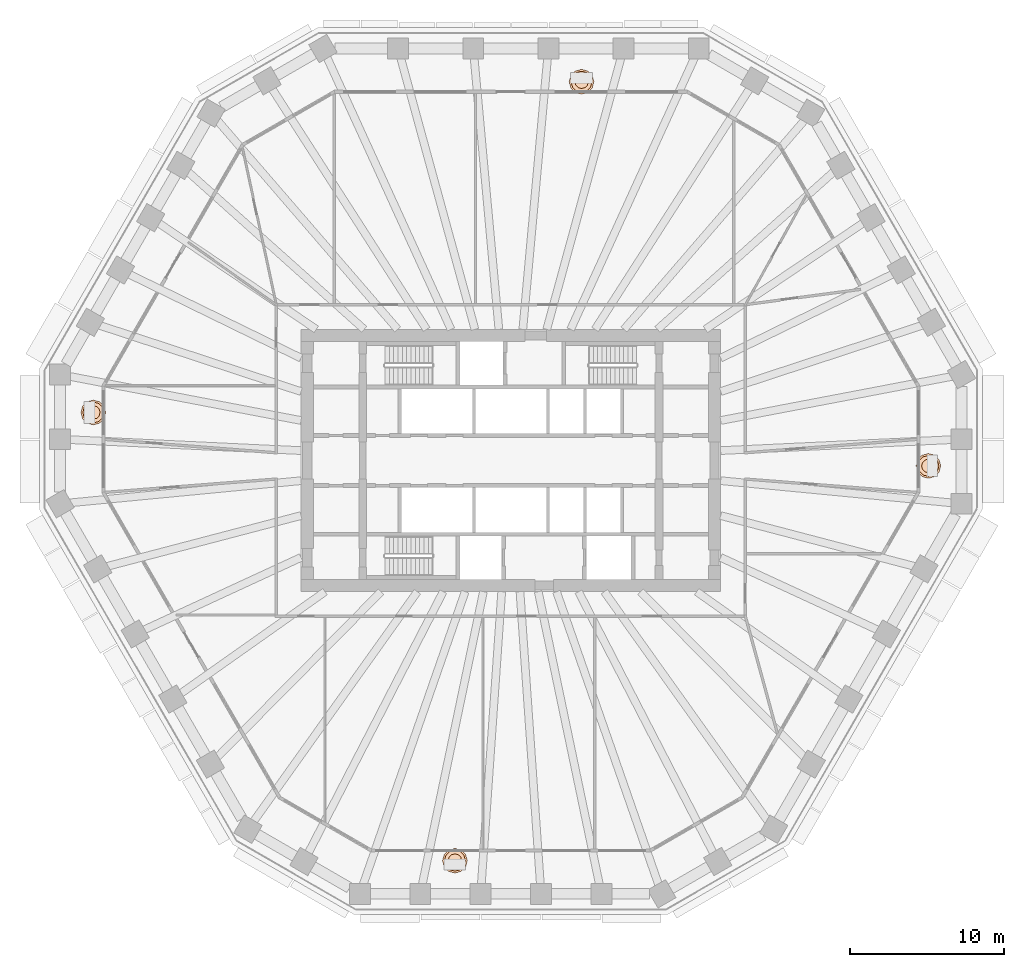
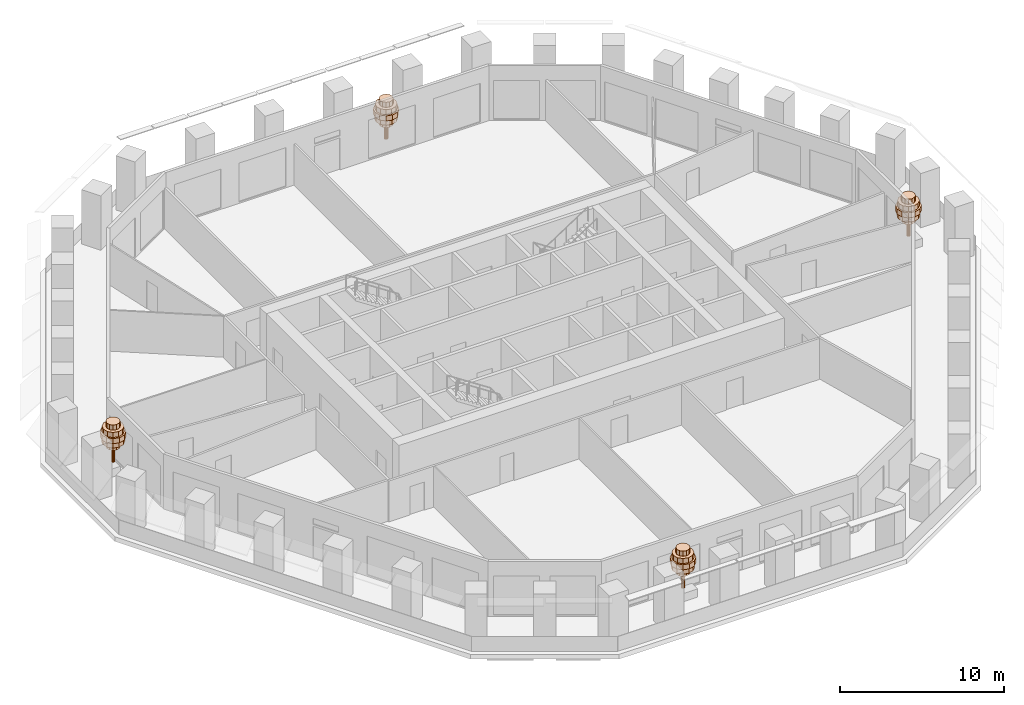
# One storey, part 12 of 12: 4 geographic elements.
"""IFC4 building model written with IfcOpenShell, lengths in metres."""

from ifc_helpers import new_model, si_unit, direction, frame, origin, place, context, subcontext, project, spatial, polyline, outline, extrude, material, type_object, element, save


model = new_model("IFC4")

# Units and contexts
model_context = context("Model", 3, precision=1e-05, world=origin(), true_north=direction((0.0, 1.0)))
body_context = subcontext(model_context, "Body", "Model", "MODEL_VIEW")
ifc_project = project(units=[si_unit("LENGTHUNIT", "METRE"), si_unit("AREAUNIT", "SQUARE_METRE"), si_unit("VOLUMEUNIT", "CUBIC_METRE"), si_unit("PLANEANGLEUNIT", "RADIAN"), si_unit("MASSUNIT", "GRAM", prefix="KILO")], contexts=[model_context])

# Site, building, storey
site_placement = place(None, origin())
site = spatial("IfcSite", under=ifc_project, at=site_placement, CompositionType="ELEMENT")
building_placement = place(site_placement, origin())
building = spatial("IfcBuilding", under=site, at=building_placement, Name="Frailejon Research Tower", CompositionType="ELEMENT")
storey_placement = place(building_placement, frame((0.0, 0.0, 126.39990234375)))
storey = spatial("IfcBuildingStorey", under=building, at=storey_placement, Name="L27", CompositionType="ELEMENT", Elevation=126.39990234375)

# Geographic elements
ifc_material = material(Name="Foliage, green")
geographic_element_type = type_object("IfcGeographicElementType", Name="Frailejon tree, loggia", PredefinedType="USERDEFINED", material=ifc_material)
geographic_element_1_placement = place(storey_placement, frame((27.06103515625, -0.349365234375, 0.60009765625)))
element("IfcGeographicElement", 1, at=geographic_element_1_placement, inside=storey, type_object=geographic_element_type, Name="Tree L27", ObjectType="TREE", PredefinedType="USERDEFINED", context=body_context, shape_type="SweptSolid", body=[
    extrude(outline(polyline([(0.1298828125, 0.0), (0.112548828125, 0.06494140625), (0.06494140625, 0.112548828125), (0.0, 0.1298828125), (-0.06494140625, 0.112548828125), (-0.112548828125, 0.06494140625), (-0.1298828125, 0.0), (-0.112548828125, -0.06494140625), (-0.06494140625, -0.112548828125), (0.0, -0.1298828125), (0.06494140625, -0.112548828125), (0.112548828125, -0.06494140625), (0.1298828125, 0.0)])), origin(), (0.0, 0.0, 1.0), 2.239990234375),
    extrude(outline(polyline([(0.43994140625, 0.0), (0.381103515625, 0.219970703125), (0.219970703125, 0.381103515625), (0.0, 0.43994140625), (-0.219970703125, 0.381103515625), (-0.381103515625, 0.219970703125), (-0.43994140625, 0.0), (-0.381103515625, -0.219970703125), (-0.219970703125, -0.381103515625), (0.0, -0.43994140625), (0.219970703125, -0.381103515625), (0.381103515625, -0.219970703125), (0.43994140625, 0.0)])), frame((0.0, 0.0, 1.10009765625)), (0.0, 0.0, 1.0), 0.3798828125),
    extrude(outline(polyline([(0.719970703125, 0.0), (0.62353515625, 0.360107421875), (0.360107421875, 0.62353515625), (0.0, 0.719970703125), (-0.360107421875, 0.62353515625), (-0.62353515625, 0.360107421875), (-0.719970703125, 0.0), (-0.62353515625, -0.360107421875), (-0.360107421875, -0.62353515625), (0.0, -0.719970703125), (0.360107421875, -0.62353515625), (0.62353515625, -0.360107421875), (0.719970703125, 0.0)])), frame((0.0, 0.0, 1.47998046875)), (0.0, 0.0, 1.0), 0.3798828125),
    extrude(outline(polyline([(0.800048828125, 0.0), (0.69287109375, 0.39990234375), (0.39990234375, 0.69287109375), (0.0, 0.800048828125), (-0.39990234375, 0.69287109375), (-0.69287109375, 0.39990234375), (-0.800048828125, 0.0), (-0.69287109375, -0.39990234375), (-0.39990234375, -0.69287109375), (0.0, -0.800048828125), (0.39990234375, -0.69287109375), (0.69287109375, -0.39990234375), (0.800048828125, 0.0)])), frame((0.0, 0.0, 1.860107421875)), (0.0, 0.0, 1.0), 0.3798828125),
    extrude(outline(polyline([(0.679931640625, 0.0), (0.5888671875, 0.340087890625), (0.340087890625, 0.5888671875), (0.0, 0.679931640625), (-0.340087890625, 0.5888671875), (-0.5888671875, 0.340087890625), (-0.679931640625, 0.0), (-0.5888671875, -0.340087890625), (-0.340087890625, -0.5888671875), (0.0, -0.679931640625), (0.340087890625, -0.5888671875), (0.5888671875, -0.340087890625), (0.679931640625, 0.0)])), frame((0.0, 0.0, 2.239990234375)), (0.0, 0.0, 1.0), 0.3798828125),
    extrude(outline(polyline([(0.43994140625, 0.0), (0.381103515625, 0.219970703125), (0.219970703125, 0.381103515625), (0.0, 0.43994140625), (-0.219970703125, 0.381103515625), (-0.381103515625, 0.219970703125), (-0.43994140625, 0.0), (-0.381103515625, -0.219970703125), (-0.219970703125, -0.381103515625), (0.0, -0.43994140625), (0.219970703125, -0.381103515625), (0.381103515625, -0.219970703125), (0.43994140625, 0.0)])), frame((0.0, 0.0, 2.6201171875)), (0.0, 0.0, 1.0), 0.3798828125),
])
geographic_element_2_placement = place(storey_placement, frame((4.581298828125, 24.550048828125, 0.60009765625)))
element("IfcGeographicElement", 2, at=geographic_element_2_placement, inside=storey, type_object=geographic_element_type, Name="Tree L27", ObjectType="TREE", PredefinedType="USERDEFINED", context=body_context, shape_type="SweptSolid", body=[
    extrude(outline(polyline([(0.1298828125, 0.0), (0.112548828125, 0.06494140625), (0.06494140625, 0.112548828125), (0.0, 0.1298828125), (-0.06494140625, 0.112548828125), (-0.112548828125, 0.06494140625), (-0.1298828125, 0.0), (-0.112548828125, -0.06494140625), (-0.06494140625, -0.112548828125), (0.0, -0.1298828125), (0.06494140625, -0.112548828125), (0.112548828125, -0.06494140625), (0.1298828125, 0.0)])), origin(), (0.0, 0.0, 1.0), 2.239990234375),
    extrude(outline(polyline([(0.43994140625, 0.0), (0.381103515625, 0.219970703125), (0.219970703125, 0.381103515625), (0.0, 0.43994140625), (-0.219970703125, 0.381103515625), (-0.381103515625, 0.219970703125), (-0.43994140625, 0.0), (-0.381103515625, -0.219970703125), (-0.219970703125, -0.381103515625), (0.0, -0.43994140625), (0.219970703125, -0.381103515625), (0.381103515625, -0.219970703125), (0.43994140625, 0.0)])), frame((0.0, 0.0, 1.10009765625)), (0.0, 0.0, 1.0), 0.3798828125),
    extrude(outline(polyline([(0.719970703125, 0.0), (0.62353515625, 0.360107421875), (0.360107421875, 0.62353515625), (0.0, 0.719970703125), (-0.360107421875, 0.62353515625), (-0.62353515625, 0.360107421875), (-0.719970703125, 0.0), (-0.62353515625, -0.360107421875), (-0.360107421875, -0.62353515625), (0.0, -0.719970703125), (0.360107421875, -0.62353515625), (0.62353515625, -0.360107421875), (0.719970703125, 0.0)])), frame((0.0, 0.0, 1.47998046875)), (0.0, 0.0, 1.0), 0.3798828125),
    extrude(outline(polyline([(0.800048828125, 0.0), (0.69287109375, 0.39990234375), (0.39990234375, 0.69287109375), (0.0, 0.800048828125), (-0.39990234375, 0.69287109375), (-0.69287109375, 0.39990234375), (-0.800048828125, 0.0), (-0.69287109375, -0.39990234375), (-0.39990234375, -0.69287109375), (0.0, -0.800048828125), (0.39990234375, -0.69287109375), (0.69287109375, -0.39990234375), (0.800048828125, 0.0)])), frame((0.0, 0.0, 1.860107421875)), (0.0, 0.0, 1.0), 0.3798828125),
    extrude(outline(polyline([(0.679931640625, 0.0), (0.5888671875, 0.340087890625), (0.340087890625, 0.5888671875), (0.0, 0.679931640625), (-0.340087890625, 0.5888671875), (-0.5888671875, 0.340087890625), (-0.679931640625, 0.0), (-0.5888671875, -0.340087890625), (-0.340087890625, -0.5888671875), (0.0, -0.679931640625), (0.340087890625, -0.5888671875), (0.5888671875, -0.340087890625), (0.679931640625, 0.0)])), frame((0.0, 0.0, 2.239990234375)), (0.0, 0.0, 1.0), 0.3798828125),
    extrude(outline(polyline([(0.43994140625, 0.0), (0.381103515625, 0.219970703125), (0.219970703125, 0.381103515625), (0.0, 0.43994140625), (-0.219970703125, 0.381103515625), (-0.381103515625, 0.219970703125), (-0.43994140625, 0.0), (-0.381103515625, -0.219970703125), (-0.219970703125, -0.381103515625), (0.0, -0.43994140625), (0.219970703125, -0.381103515625), (0.381103515625, -0.219970703125), (0.43994140625, 0.0)])), frame((0.0, 0.0, 2.6201171875)), (0.0, 0.0, 1.0), 0.3798828125),
])
geographic_element_3_placement = place(storey_placement, frame((-27.06103515625, 3.11474609375, 0.60009765625)))
element("IfcGeographicElement", 3, at=geographic_element_3_placement, inside=storey, type_object=geographic_element_type, Name="Tree L27", ObjectType="TREE", PredefinedType="USERDEFINED", context=body_context, shape_type="SweptSolid", body=[
    extrude(outline(polyline([(0.1298828125, 0.0), (0.112548828125, 0.06494140625), (0.06494140625, 0.112548828125), (0.0, 0.1298828125), (-0.06494140625, 0.112548828125), (-0.112548828125, 0.06494140625), (-0.1298828125, 0.0), (-0.112548828125, -0.06494140625), (-0.06494140625, -0.112548828125), (0.0, -0.1298828125), (0.06494140625, -0.112548828125), (0.112548828125, -0.06494140625), (0.1298828125, 0.0)])), origin(), (0.0, 0.0, 1.0), 2.239990234375),
    extrude(outline(polyline([(0.43994140625, 0.0), (0.381103515625, 0.219970703125), (0.219970703125, 0.381103515625), (0.0, 0.43994140625), (-0.219970703125, 0.381103515625), (-0.381103515625, 0.219970703125), (-0.43994140625, 0.0), (-0.381103515625, -0.219970703125), (-0.219970703125, -0.381103515625), (0.0, -0.43994140625), (0.219970703125, -0.381103515625), (0.381103515625, -0.219970703125), (0.43994140625, 0.0)])), frame((0.0, 0.0, 1.10009765625)), (0.0, 0.0, 1.0), 0.3798828125),
    extrude(outline(polyline([(0.719970703125, 0.0), (0.62353515625, 0.360107421875), (0.360107421875, 0.62353515625), (0.0, 0.719970703125), (-0.360107421875, 0.62353515625), (-0.62353515625, 0.360107421875), (-0.719970703125, 0.0), (-0.62353515625, -0.360107421875), (-0.360107421875, -0.62353515625), (0.0, -0.719970703125), (0.360107421875, -0.62353515625), (0.62353515625, -0.360107421875), (0.719970703125, 0.0)])), frame((0.0, 0.0, 1.47998046875)), (0.0, 0.0, 1.0), 0.3798828125),
    extrude(outline(polyline([(0.800048828125, 0.0), (0.69287109375, 0.39990234375), (0.39990234375, 0.69287109375), (0.0, 0.800048828125), (-0.39990234375, 0.69287109375), (-0.69287109375, 0.39990234375), (-0.800048828125, 0.0), (-0.69287109375, -0.39990234375), (-0.39990234375, -0.69287109375), (0.0, -0.800048828125), (0.39990234375, -0.69287109375), (0.69287109375, -0.39990234375), (0.800048828125, 0.0)])), frame((0.0, 0.0, 1.860107421875)), (0.0, 0.0, 1.0), 0.3798828125),
    extrude(outline(polyline([(0.679931640625, 0.0), (0.5888671875, 0.340087890625), (0.340087890625, 0.5888671875), (0.0, 0.679931640625), (-0.340087890625, 0.5888671875), (-0.5888671875, 0.340087890625), (-0.679931640625, 0.0), (-0.5888671875, -0.340087890625), (-0.340087890625, -0.5888671875), (0.0, -0.679931640625), (0.340087890625, -0.5888671875), (0.5888671875, -0.340087890625), (0.679931640625, 0.0)])), frame((0.0, 0.0, 2.239990234375)), (0.0, 0.0, 1.0), 0.3798828125),
    extrude(outline(polyline([(0.43994140625, 0.0), (0.381103515625, 0.219970703125), (0.219970703125, 0.381103515625), (0.0, 0.43994140625), (-0.219970703125, 0.381103515625), (-0.381103515625, 0.219970703125), (-0.43994140625, 0.0), (-0.381103515625, -0.219970703125), (-0.219970703125, -0.381103515625), (0.0, -0.43994140625), (0.219970703125, -0.381103515625), (0.381103515625, -0.219970703125), (0.43994140625, 0.0)])), frame((0.0, 0.0, 2.6201171875)), (0.0, 0.0, 1.0), 0.3798828125),
])
geographic_element_4_placement = place(storey_placement, frame((-3.623291015625, -25.932861328125, 0.60009765625)))
element("IfcGeographicElement", 4, at=geographic_element_4_placement, inside=storey, type_object=geographic_element_type, Name="Tree L27", ObjectType="TREE", PredefinedType="USERDEFINED", context=body_context, shape_type="SweptSolid", body=[
    extrude(outline(polyline([(0.1298828125, 0.0), (0.112548828125, 0.06494140625), (0.06494140625, 0.112548828125), (0.0, 0.1298828125), (-0.06494140625, 0.112548828125), (-0.112548828125, 0.06494140625), (-0.1298828125, 0.0), (-0.112548828125, -0.06494140625), (-0.06494140625, -0.112548828125), (0.0, -0.1298828125), (0.06494140625, -0.112548828125), (0.112548828125, -0.06494140625), (0.1298828125, 0.0)])), origin(), (0.0, 0.0, 1.0), 2.239990234375),
    extrude(outline(polyline([(0.43994140625, 0.0), (0.381103515625, 0.219970703125), (0.219970703125, 0.381103515625), (0.0, 0.43994140625), (-0.219970703125, 0.381103515625), (-0.381103515625, 0.219970703125), (-0.43994140625, 0.0), (-0.381103515625, -0.219970703125), (-0.219970703125, -0.381103515625), (0.0, -0.43994140625), (0.219970703125, -0.381103515625), (0.381103515625, -0.219970703125), (0.43994140625, 0.0)])), frame((0.0, 0.0, 1.10009765625)), (0.0, 0.0, 1.0), 0.3798828125),
    extrude(outline(polyline([(0.719970703125, 0.0), (0.62353515625, 0.360107421875), (0.360107421875, 0.62353515625), (0.0, 0.719970703125), (-0.360107421875, 0.62353515625), (-0.62353515625, 0.360107421875), (-0.719970703125, 0.0), (-0.62353515625, -0.360107421875), (-0.360107421875, -0.62353515625), (0.0, -0.719970703125), (0.360107421875, -0.62353515625), (0.62353515625, -0.360107421875), (0.719970703125, 0.0)])), frame((0.0, 0.0, 1.47998046875)), (0.0, 0.0, 1.0), 0.3798828125),
    extrude(outline(polyline([(0.800048828125, 0.0), (0.69287109375, 0.39990234375), (0.39990234375, 0.69287109375), (0.0, 0.800048828125), (-0.39990234375, 0.69287109375), (-0.69287109375, 0.39990234375), (-0.800048828125, 0.0), (-0.69287109375, -0.39990234375), (-0.39990234375, -0.69287109375), (0.0, -0.800048828125), (0.39990234375, -0.69287109375), (0.69287109375, -0.39990234375), (0.800048828125, 0.0)])), frame((0.0, 0.0, 1.860107421875)), (0.0, 0.0, 1.0), 0.3798828125),
    extrude(outline(polyline([(0.679931640625, 0.0), (0.5888671875, 0.340087890625), (0.340087890625, 0.5888671875), (0.0, 0.679931640625), (-0.340087890625, 0.5888671875), (-0.5888671875, 0.340087890625), (-0.679931640625, 0.0), (-0.5888671875, -0.340087890625), (-0.340087890625, -0.5888671875), (0.0, -0.679931640625), (0.340087890625, -0.5888671875), (0.5888671875, -0.340087890625), (0.679931640625, 0.0)])), frame((0.0, 0.0, 2.239990234375)), (0.0, 0.0, 1.0), 0.3798828125),
    extrude(outline(polyline([(0.43994140625, 0.0), (0.381103515625, 0.219970703125), (0.219970703125, 0.381103515625), (0.0, 0.43994140625), (-0.219970703125, 0.381103515625), (-0.381103515625, 0.219970703125), (-0.43994140625, 0.0), (-0.381103515625, -0.219970703125), (-0.219970703125, -0.381103515625), (0.0, -0.43994140625), (0.219970703125, -0.381103515625), (0.381103515625, -0.219970703125), (0.43994140625, 0.0)])), frame((0.0, 0.0, 2.6201171875)), (0.0, 0.0, 1.0), 0.3798828125),
])

save(model, "model.ifc")
